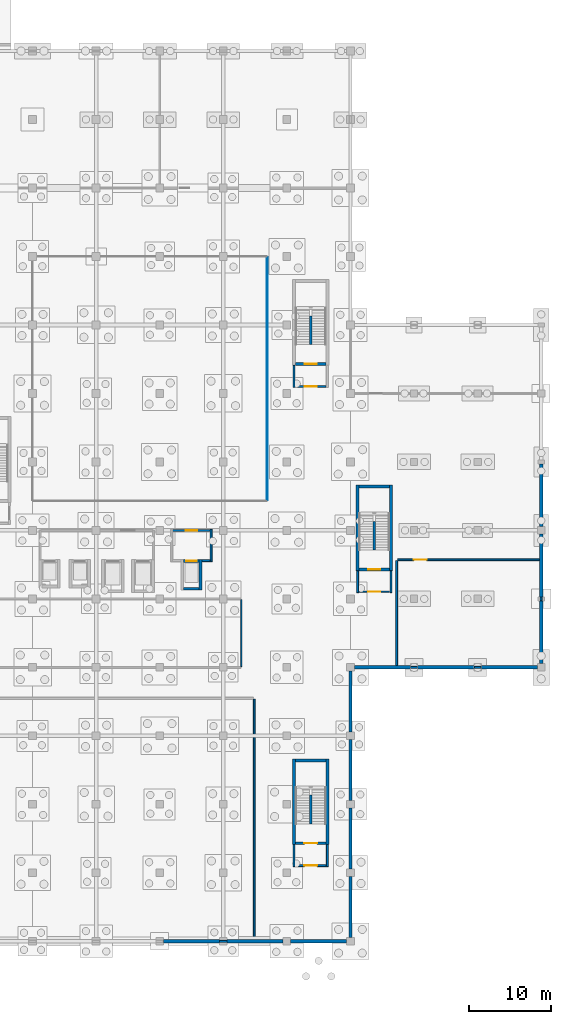
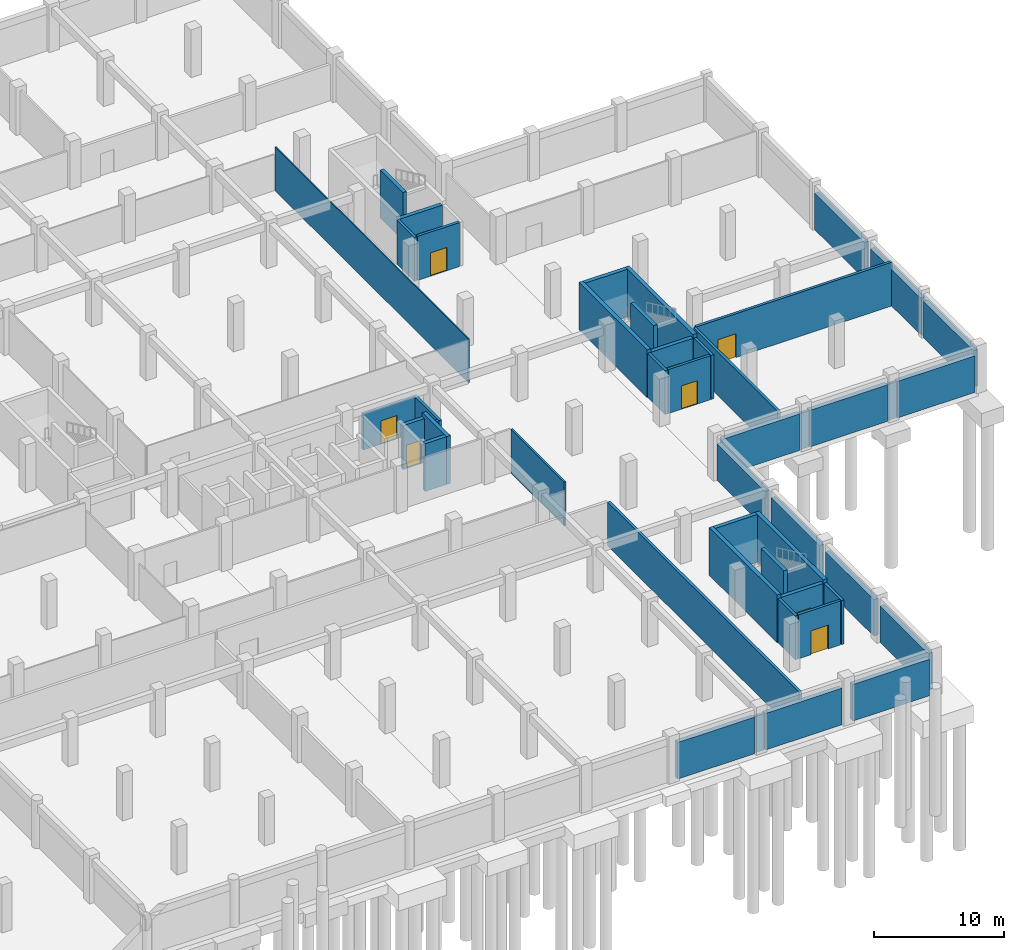
# One storey, part 21 of 30: 48 walls, 9 doors, 9 openings.
"""IFC4 building model written with IfcOpenShell, lengths in metres."""

from ifc_helpers import new_model, si_unit, direction, frame, frame_2d, origin, place, context, subcontext, project, spatial, rectangle, extrude, material, layer, layer_set, type_object, element, fill, save


model = new_model("IFC4")

# Units and contexts
model_context = context("Model", 3, precision=1e-05, world=origin(), true_north=direction((0.0, 1.0)))
body_context = subcontext(model_context, "Body", "Model", "MODEL_VIEW")
ifc_project = project(units=[si_unit("LENGTHUNIT", "METRE"), si_unit("AREAUNIT", "SQUARE_METRE"), si_unit("VOLUMEUNIT", "CUBIC_METRE"), si_unit("PLANEANGLEUNIT", "RADIAN"), si_unit("MASSUNIT", "GRAM", prefix="KILO"), si_unit("THERMODYNAMICTEMPERATUREUNIT", "KELVIN"), si_unit("POWERUNIT", "WATT")], contexts=[model_context])

# Site, building, storey
site_placement = place(None, origin())
site = spatial("IfcSite", under=ifc_project, at=site_placement, CompositionType="ELEMENT")
building_placement = place(site_placement, origin())
building = spatial("IfcBuilding", under=site, at=building_placement, Name="Srebrne Nadtorze General Hospital", CompositionType="ELEMENT")
storey_placement = place(building_placement, frame((0.0, 0.0, -4.5)))
storey = spatial("IfcBuildingStorey", under=building, at=storey_placement, Name="B1", CompositionType="ELEMENT", Elevation=-4.5)

# Walls
ifc_material_1 = material(Name="Concrete C35/45", Category="concrete")
ifc_layer_1 = layer(ifc_material_1, 0.39990234375)
ifc_layer_set_1 = layer_set([ifc_layer_1], Name="Concrete C35/45")
wall_type_1 = type_object("IfcWallType", Name="Basement retaining wall 400", PredefinedType="SOLIDWALL", material=ifc_layer_set_1)
for number, where, z_axis, x_axis, name in (
    (1, (125.27490234375, 0.0, 0.0), (0.0, 0.0, 1.0), (1.0, 0.0, 0.0), "Exterior wall WL-ENV-B1-0014"),
    (2, (133.074951171875, 0.0, 0.0), (0.0, 0.0, 1.0), (1.0, 0.0, 0.0), "Exterior wall WL-ENV-B1-0015"),
    (3, (140.875, 0.0, 0.0), (0.0, 0.0, 1.0), (1.0, 0.0, 0.0), "Exterior wall WL-ENV-B1-0016"),
):
    element("IfcWall", number, at=place(storey_placement, frame(where, z_axis=z_axis, x_axis=x_axis)), inside=storey, type_object=wall_type_1, Name=name, PredefinedType="SOLIDWALL", context=body_context, shape_type="SweptSolid", body=[
        extrude(rectangle(XDim=6.85009765625, YDim=0.39990234375, at=frame_2d((3.425048828125, 0.0))), origin(), (0.0, 0.0, 1.0), 3.449951171875),
    ])
wall_1_placement = place(storey_placement, frame((148.675048828125, 33.60009765625, 0.0), z_axis=(0.0, 0.0, 1.0), x_axis=(1.0, 0.0, 0.0)))
element("IfcWall", 4, at=wall_1_placement, inside=storey, type_object=wall_type_1, Name="Exterior wall WL-ENV-B1-0020", PredefinedType="SOLIDWALL", context=body_context, shape_type="SweptSolid", body=[
    extrude(rectangle(XDim=6.875, YDim=0.39990234375, at=frame_2d((3.4375, 0.0))), origin(), (0.0, 0.0, 1.0), 3.449951171875),
])
wall_2_placement = place(storey_placement, frame((156.449951171875, 33.60009765625, 0.0), z_axis=(0.0, 0.0, 1.0), x_axis=(1.0, 0.0, 0.0)))
element("IfcWall", 5, at=wall_2_placement, inside=storey, type_object=wall_type_1, Name="Exterior wall WL-ENV-B1-0021", PredefinedType="SOLIDWALL", context=body_context, shape_type="SweptSolid", body=[
    extrude(rectangle(XDim=6.900146484375, YDim=0.39990234375, at=frame_2d((3.4501953125, 0.0))), origin(), (0.0, 0.0, 1.0), 3.449951171875),
])
wall_3_placement = place(storey_placement, frame((164.25, 33.60009765625, 0.0), z_axis=(0.0, 0.0, 1.0), x_axis=(1.0, 0.0, 0.0)))
element("IfcWall", 6, at=wall_3_placement, inside=storey, type_object=wall_type_1, Name="Exterior wall WL-ENV-B1-0022", PredefinedType="SOLIDWALL", context=body_context, shape_type="SweptSolid", body=[
    extrude(rectangle(XDim=6.89990234375, YDim=0.39990234375, at=frame_2d((3.449951171875, 0.0))), origin(), (0.0, 0.0, 1.0), 3.449951171875),
])
for number, where, z_axis, x_axis, name in (
    (7, (148.199951171875, 0.47509765625, 0.0), (0.0, 0.0, 1.0), (0.0, 1.0, 0.0), "Exterior wall WL-ENV-B1-0064"),
    (8, (148.199951171875, 8.875, 0.0), (0.0, 0.0, 1.0), (0.0, 1.0, 0.0), "Exterior wall WL-ENV-B1-0065"),
):
    element("IfcWall", number, at=place(storey_placement, frame(where, z_axis=z_axis, x_axis=x_axis)), inside=storey, type_object=wall_type_1, Name=name, PredefinedType="SOLIDWALL", context=body_context, shape_type="SweptSolid", body=[
        extrude(rectangle(XDim=7.449951171875, YDim=0.39990234375, at=frame_2d((3.72509765625, 0.0))), origin(), (0.0, 0.0, 1.0), 3.449951171875),
    ])
wall_4_placement = place(storey_placement, frame((148.199951171875, 17.27490234375, 0.0), z_axis=(0.0, 0.0, 1.0), x_axis=(0.0, 1.0, 0.0)))
element("IfcWall", 9, at=wall_4_placement, inside=storey, type_object=wall_type_1, Name="Exterior wall WL-ENV-B1-0066", PredefinedType="SOLIDWALL", context=body_context, shape_type="SweptSolid", body=[
    extrude(rectangle(XDim=7.4501953125, YDim=0.39990234375, at=frame_2d((3.72509765625, 0.0))), origin(), (0.0, 0.0, 1.0), 3.449951171875),
])
wall_5_placement = place(storey_placement, frame((148.199951171875, 25.675048828125, 0.0), z_axis=(0.0, 0.0, 1.0), x_axis=(0.0, 1.0, 0.0)))
element("IfcWall", 10, at=wall_5_placement, inside=storey, type_object=wall_type_1, Name="Exterior wall WL-ENV-B1-0067", PredefinedType="SOLIDWALL", context=body_context, shape_type="SweptSolid", body=[
    extrude(rectangle(XDim=7.449951171875, YDim=0.39990234375, at=frame_2d((3.72509765625, 0.0))), origin(), (0.0, 0.0, 1.0), 3.449951171875),
])
for number, where, z_axis, x_axis, name in (
    (11, (171.60009765625, 34.050048828125, 0.0), (0.0, 0.0, 1.0), (0.0, 1.0, 0.0), "Exterior wall WL-ENV-B1-0072"),
    (12, (171.60009765625, 42.25, 0.0), (0.0, 0.0, 1.0), (0.0, 1.0, 0.0), "Exterior wall WL-ENV-B1-0073"),
    (13, (171.60009765625, 50.85009765625, 0.0), (0.0, 0.0, 1.0), (0.0, 1.0, 0.0), "Exterior wall WL-ENV-B1-0074"),
):
    element("IfcWall", number, at=place(storey_placement, frame(where, z_axis=z_axis, x_axis=x_axis)), inside=storey, type_object=wall_type_1, Name=name, PredefinedType="SOLIDWALL", context=body_context, shape_type="SweptSolid", body=[
        extrude(rectangle(XDim=7.699951171875, YDim=0.39990234375, at=frame_2d((3.85009765625, 0.0))), origin(), (0.0, 0.0, 1.0), 3.449951171875),
    ])
ifc_material_2 = material(Name="Gypsum Healthcare Partition")
ifc_layer_2 = layer(ifc_material_2, 0.159912109375)
ifc_layer_set_2 = layer_set([ifc_layer_2], Name="Gypsum Healthcare Partition")
wall_type_2 = type_object("IfcWallType", Name="Clinical partition 160", PredefinedType="PARTITIONING", material=ifc_layer_set_2)
wall_6_placement = place(storey_placement, frame((134.800048828125, 33.68505859375, 0.0), z_axis=(0.0, 0.0, 1.0), x_axis=(0.0, 1.0, 0.0)))
element("IfcWall", 14, at=wall_6_placement, inside=storey, type_object=wall_type_2, Name="Cryogenic Tissue and Specimen Bank wall WL-INT-B1-1278", PredefinedType="PARTITIONING", context=body_context, shape_type="SweptSolid", body=[
    extrude(rectangle(XDim=8.22998046875, YDim=0.159912109375, at=frame_2d((4.114990234375, 0.0))), origin(), (0.0, 0.0, 1.0), 4.1298828125),
])
ifc_material_3 = material(Name="Gypsum Healthcare Partition")
ifc_layer_3 = layer(ifc_material_3, 0.239990234375)
ifc_layer_set_3 = layer_set([ifc_layer_3], Name="Gypsum Healthcare Partition")
wall_type_3 = type_object("IfcWallType", Name="Corridor fire wall 240", PredefinedType="STANDARD", material=ifc_layer_set_3)
wall_7_placement = place(storey_placement, frame((141.27490234375, 67.955078125, 0.0), z_axis=(0.0, 0.0, 1.0), x_axis=(0.0, 1.0, 0.0)))
element("IfcWall", 15, at=wall_7_placement, inside=storey, type_object=wall_type_3, Name="Fire lobby wall ST-04 WL-INT-B1-0029", PredefinedType="STANDARD", context=body_context, shape_type="SweptSolid", body=[
    extrude(rectangle(XDim=2.69482421875, YDim=0.239990234375, at=frame_2d((1.347412109375, 0.0))), origin(), (0.0, 0.0, 1.0), 4.14990234375),
])

# Wall, opening, door
wall_8_placement = place(storey_placement, frame((141.449951171875, 68.074951171875, 0.0), z_axis=(0.0, 0.0, 1.0), x_axis=(1.0, 0.0, 0.0)))
wall_8 = element("IfcWall", 16, at=wall_8_placement, inside=storey, type_object=wall_type_3, Name="Fire lobby entry wall ST-04 WL-INT-B1-0031", PredefinedType="STANDARD", context=body_context, shape_type="SweptSolid", body=[
    extrude(rectangle(XDim=3.75, YDim=0.239990234375, at=frame_2d((1.875, 0.0))), origin(), (0.0, 0.0, 1.0), 4.14990234375),
])
opening_1_placement = place(wall_8_placement, frame((1.125, 0.0, 0.0)))
opening_1 = element("IfcOpeningElement", 17, at=opening_1_placement, cuts=wall_8, Name="Opening D-B1-0008", PredefinedType="OPENING", context=body_context, shape_type="SweptSolid", body=[
    extrude(rectangle(XDim=1.5, YDim=2.199951171875, at=frame_2d((0.75, 1.10009765625))), frame((0.0, 0.1318359375, 0.0), z_axis=(0.0, -1.0, 0.0), x_axis=(1.0, 0.0, 0.0)), (0.0, 0.0, 1.0), 0.263916015625),
])
ifc_material_4 = material(Name="Anodised Aluminium", Category="aluminium")
door_type_1 = type_object("IfcDoorType", Name="Double leaf door 1500x2200", OperationType="DOUBLE_DOOR_SINGLE_SWING", PredefinedType="DOOR", material=ifc_material_4)
door_1_placement = place(opening_1_placement, origin())
door_1 = element("IfcDoor", 18, at=door_1_placement, inside=storey, type_object=door_type_1, Name="Fire lobby door ST-04 D-B1-0008", OperationType="DOUBLE_DOOR_SINGLE_SWING", OverallHeight=2.199951171875, OverallWidth=1.5, PredefinedType="DOOR", context=body_context, shape_type="SweptSolid", body=[
    extrude(rectangle(XDim=1.5, YDim=2.199951171875, at=frame_2d((0.75, 1.10009765625))), frame((0.0, 0.02490234375, 0.0), z_axis=(0.0, -1.0, 0.0), x_axis=(1.0, 0.0, 0.0)), (0.0, 0.0, 1.0), 0.050048828125),
])
fill(opening_1, door_1)

# Walls
for number, where, z_axis, x_axis, name in (
    (19, (149.074951171875, 42.7548828125, 0.0), (0.0, 0.0, 1.0), (0.0, 1.0, 0.0), "Fire lobby wall ST-06 WL-INT-B1-0045"),
    (20, (153.175048828125, 42.7548828125, 0.0), (0.0, 0.0, 1.0), (0.0, 1.0, 0.0), "Fire lobby wall ST-06 WL-INT-B1-0046"),
):
    element("IfcWall", number, at=place(storey_placement, frame(where, z_axis=z_axis, x_axis=x_axis)), inside=storey, type_object=wall_type_3, Name=name, PredefinedType="STANDARD", context=body_context, shape_type="SweptSolid", body=[
        extrude(rectangle(XDim=2.695068359375, YDim=0.239990234375, at=frame_2d((1.34765625, 0.0))), origin(), (0.0, 0.0, 1.0), 4.14990234375),
    ])

# Wall, opening, door
wall_9_placement = place(storey_placement, frame((149.25, 42.875, 0.0), z_axis=(0.0, 0.0, 1.0), x_axis=(1.0, 0.0, 0.0)))
wall_9 = element("IfcWall", 21, at=wall_9_placement, inside=storey, type_object=wall_type_3, Name="Fire lobby entry wall ST-06 WL-INT-B1-0047", PredefinedType="STANDARD", context=body_context, shape_type="SweptSolid", body=[
    extrude(rectangle(XDim=3.75, YDim=0.239990234375, at=frame_2d((1.875, 0.0))), origin(), (0.0, 0.0, 1.0), 4.14990234375),
])
opening_2_placement = place(wall_9_placement, frame((1.14990234375, 0.0, 0.0)))
opening_2 = element("IfcOpeningElement", 22, at=opening_2_placement, cuts=wall_9, Name="Opening D-B1-0012", PredefinedType="OPENING", context=body_context, shape_type="SweptSolid", body=[
    extrude(rectangle(XDim=1.449951171875, YDim=2.199951171875, at=frame_2d((0.72509765625, 1.10009765625))), frame((0.0, 0.1318359375, 0.0), z_axis=(0.0, -1.0, 0.0), x_axis=(1.0, 0.0, 0.0)), (0.0, 0.0, 1.0), 0.263916015625),
])
ifc_material_5 = material(Name="Anodised Aluminium", Category="aluminium")
door_type_2 = type_object("IfcDoorType", Name="Double leaf door 1450x2200", OperationType="DOUBLE_DOOR_SINGLE_SWING", PredefinedType="DOOR", material=ifc_material_5)
door_2_placement = place(opening_2_placement, origin())
door_2 = element("IfcDoor", 23, at=door_2_placement, inside=storey, type_object=door_type_2, Name="Fire lobby door ST-06 D-B1-0012", OperationType="DOUBLE_DOOR_SINGLE_SWING", OverallHeight=2.199951171875, OverallWidth=1.449951171875, PredefinedType="DOOR", context=body_context, shape_type="SweptSolid", body=[
    extrude(rectangle(XDim=1.449951171875, YDim=2.199951171875, at=frame_2d((0.72509765625, 1.10009765625))), frame((0.0, 0.02490234375, 0.0), z_axis=(0.0, -1.0, 0.0), x_axis=(1.0, 0.0, 0.0)), (0.0, 0.0, 1.0), 0.050048828125),
])
fill(opening_2, door_2)

# Walls
for number, where, z_axis, x_axis, name in (
    (24, (141.27490234375, 9.155029296875, 0.0), (0.0, 0.0, 1.0), (0.0, 1.0, 0.0), "Fire lobby wall ST-08 WL-INT-B1-0061"),
    (25, (145.375, 9.155029296875, 0.0), (0.0, 0.0, 1.0), (0.0, 1.0, 0.0), "Fire lobby wall ST-08 WL-INT-B1-0062"),
):
    element("IfcWall", number, at=place(storey_placement, frame(where, z_axis=z_axis, x_axis=x_axis)), inside=storey, type_object=wall_type_3, Name=name, PredefinedType="STANDARD", context=body_context, shape_type="SweptSolid", body=[
        extrude(rectangle(XDim=2.695068359375, YDim=0.239990234375, at=frame_2d((1.34765625, 0.0))), origin(), (0.0, 0.0, 1.0), 4.14990234375),
    ])

# Wall, opening, door
wall_10_placement = place(storey_placement, frame((141.449951171875, 9.27490234375, 0.0), z_axis=(0.0, 0.0, 1.0), x_axis=(1.0, 0.0, 0.0)))
wall_10 = element("IfcWall", 26, at=wall_10_placement, inside=storey, type_object=wall_type_3, Name="Fire lobby entry wall ST-08 WL-INT-B1-0063", PredefinedType="STANDARD", context=body_context, shape_type="SweptSolid", body=[
    extrude(rectangle(XDim=3.75, YDim=0.239990234375, at=frame_2d((1.875, 0.0))), origin(), (0.0, 0.0, 1.0), 4.14990234375),
])
opening_3_placement = place(wall_10_placement, frame((1.10009765625, 0.0, 0.0)))
opening_3 = element("IfcOpeningElement", 27, at=opening_3_placement, cuts=wall_10, Name="Opening D-B1-0016", PredefinedType="OPENING", context=body_context, shape_type="SweptSolid", body=[
    extrude(rectangle(XDim=1.550048828125, YDim=2.25, at=frame_2d((0.77490234375, 1.125))), frame((0.0, 0.1318359375, 0.0), z_axis=(0.0, -1.0, 0.0), x_axis=(1.0, 0.0, 0.0)), (0.0, 0.0, 1.0), 0.263916015625),
])
ifc_material_6 = material(Name="Anodised Aluminium", Category="aluminium")
door_type_3 = type_object("IfcDoorType", Name="Double leaf door 1550x2250", OperationType="DOUBLE_DOOR_SINGLE_SWING", PredefinedType="DOOR", material=ifc_material_6)
door_3_placement = place(opening_3_placement, origin())
door_3 = element("IfcDoor", 28, at=door_3_placement, inside=storey, type_object=door_type_3, Name="Fire lobby door ST-08 D-B1-0016", OperationType="DOUBLE_DOOR_SINGLE_SWING", OverallHeight=2.25, OverallWidth=1.550048828125, PredefinedType="DOOR", context=body_context, shape_type="SweptSolid", body=[
    extrude(rectangle(XDim=1.550048828125, YDim=2.25, at=frame_2d((0.77490234375, 1.125))), frame((0.0, 0.02490234375, 0.0), z_axis=(0.0, -1.0, 0.0), x_axis=(1.0, 0.0, 0.0)), (0.0, 0.0, 1.0), 0.050048828125),
])
fill(opening_3, door_3)

# Walls
wall_11_placement = place(storey_placement, frame((131.1201171875, 46.570068359375, 0.0), z_axis=(0.0, 0.0, 1.0), x_axis=(0.0, 1.0, 0.0)))
element("IfcWall", 29, at=wall_11_placement, inside=storey, type_object=wall_type_3, Name="FF lift lobby wall WL-INT-B1-0884", PredefinedType="STANDARD", context=body_context, shape_type="SweptSolid", body=[
    extrude(rectangle(XDim=3.949951171875, YDim=0.239990234375, at=frame_2d((1.97509765625, 0.0))), origin(), (0.0, 0.0, 1.0), 3.39990234375),
])
wall_12_placement = place(storey_placement, frame((130.0, 46.68994140625, 0.0), z_axis=(0.0, 0.0, 1.0), x_axis=(1.0, 0.0, 0.0)))
element("IfcWall", 30, at=wall_12_placement, inside=storey, type_object=wall_type_3, Name="FF lift lobby return wall WL-INT-B1-0886", PredefinedType="STANDARD", context=body_context, shape_type="SweptSolid", body=[
    extrude(rectangle(XDim=1.0, YDim=0.239990234375, at=frame_2d((0.5, 0.0))), origin(), (0.0, 0.0, 1.0), 3.39990234375),
])

# Wall, opening, door
wall_13_placement = place(storey_placement, frame((126.39990234375, 50.39990234375, 0.0), z_axis=(0.0, 0.0, 1.0), x_axis=(1.0, 0.0, 0.0)))
wall_13 = element("IfcWall", 31, at=wall_13_placement, inside=storey, type_object=wall_type_3, Name="FF lift lobby front wall WL-INT-B1-0887", PredefinedType="STANDARD", context=body_context, shape_type="SweptSolid", body=[
    extrude(rectangle(XDim=4.60009765625, YDim=0.239990234375, at=frame_2d((2.300048828125, 0.0))), origin(), (0.0, 0.0, 1.0), 3.39990234375),
])
opening_4_placement = place(wall_13_placement, frame((1.574951171875, 0.0, 0.0)))
opening_4 = element("IfcOpeningElement", 32, at=opening_4_placement, cuts=wall_13, Name="Opening D-B1-0120", PredefinedType="OPENING", context=body_context, shape_type="SweptSolid", body=[
    extrude(rectangle(XDim=1.449951171875, YDim=2.199951171875, at=frame_2d((0.72509765625, 1.10009765625))), frame((0.0, 0.1318359375, 0.0), z_axis=(0.0, -1.0, 0.0), x_axis=(1.0, 0.0, 0.0)), (0.0, 0.0, 1.0), 0.263916015625),
])
door_4_placement = place(opening_4_placement, origin())
door_4 = element("IfcDoor", 33, at=door_4_placement, inside=storey, type_object=door_type_2, Name="Firefighting lift lobby door D-B1-0120", OperationType="DOUBLE_DOOR_SINGLE_SWING", OverallHeight=2.199951171875, OverallWidth=1.449951171875, PredefinedType="DOOR", context=body_context, shape_type="SweptSolid", body=[
    extrude(rectangle(XDim=1.449951171875, YDim=2.199951171875, at=frame_2d((0.72509765625, 1.10009765625))), frame((0.0, 0.02490234375, 0.0), z_axis=(0.0, -1.0, 0.0), x_axis=(1.0, 0.0, 0.0)), (0.0, 0.0, 1.0), 0.050048828125),
])
fill(opening_4, door_4)

# Walls
wall_14_placement = place(storey_placement, frame((132.1650390625, 0.0, 0.0), z_axis=(0.0, 0.0, 1.0), x_axis=(1.0, 0.0, 0.0)))
element("IfcWall", 34, at=wall_14_placement, inside=storey, type_object=wall_type_3, Name="Primary Chiller and District Heat Plant wall WL-INT-B1-1246", PredefinedType="STANDARD", context=body_context, shape_type="SweptSolid", body=[
    extrude(rectangle(XDim=0.869873046875, YDim=0.239990234375, at=frame_2d((0.43505859375, 0.0))), origin(), (0.0, 0.0, 1.0), 3.39990234375),
])
wall_15_placement = place(storey_placement, frame((136.39990234375, 0.110107421875, 0.0), z_axis=(0.0, 0.0, 1.0), x_axis=(0.0, 1.0, 0.0)))
element("IfcWall", 35, at=wall_15_placement, inside=storey, type_object=wall_type_3, Name="Primary Chiller and District Heat Plant wall WL-INT-B1-1247", PredefinedType="STANDARD", context=body_context, shape_type="SweptSolid", body=[
    extrude(rectangle(XDim=29.579833984375, YDim=0.239990234375, at=frame_2d((14.7900390625, 0.0))), origin(), (0.0, 0.0, 1.0), 4.1298828125),
])

# Wall, opening, door
wall_16_placement = place(storey_placement, frame((153.985107421875, 46.800048828125, 0.0), z_axis=(0.0, 0.0, 1.0), x_axis=(1.0, 0.0, 0.0)))
wall_16 = element("IfcWall", 36, at=wall_16_placement, inside=storey, type_object=wall_type_3, Name="Standby Diesel Generator Plant wall WL-INT-B1-1252", PredefinedType="STANDARD", context=body_context, shape_type="SweptSolid", body=[
    extrude(rectangle(XDim=17.5048828125, YDim=0.239990234375, at=frame_2d((8.75244140625, 0.0))), origin(), (0.0, 0.0, 1.0), 4.1298828125),
])
opening_5_placement = place(wall_16_placement, frame((1.961669921875, 0.0, 0.0)))
opening_5 = element("IfcOpeningElement", 37, at=opening_5_placement, cuts=wall_16, Name="Opening D-B1-0177", PredefinedType="OPENING", context=body_context, shape_type="SweptSolid", body=[
    extrude(rectangle(XDim=1.60009765625, YDim=2.25, at=frame_2d((0.800048828125, 1.125))), frame((0.0, 0.1318359375, 0.0), z_axis=(0.0, -1.0, 0.0), x_axis=(1.0, 0.0, 0.0)), (0.0, 0.0, 1.0), 0.263916015625),
])
ifc_material_7 = material(Name="Anodised Aluminium", Category="aluminium")
door_type_4 = type_object("IfcDoorType", Name="Double leaf door 1600x2250", OperationType="DOUBLE_DOOR_SINGLE_SWING", PredefinedType="DOOR", material=ifc_material_7)
door_5_placement = place(opening_5_placement, frame((1.60009765625, 0.0, 0.0), z_axis=(0.0, 0.0, 1.0), x_axis=(-1.0, 0.0, 0.0)))
door_5 = element("IfcDoor", 38, at=door_5_placement, inside=storey, type_object=door_type_4, Name="Standby Diesel Generator Plant door D-B1-0177", OperationType="DOUBLE_DOOR_SINGLE_SWING", OverallHeight=2.25, OverallWidth=1.60009765625, PredefinedType="DOOR", context=body_context, shape_type="SweptSolid", body=[
    extrude(rectangle(XDim=1.60009765625, YDim=2.25, at=frame_2d((0.800048828125, 1.125))), frame((0.0, 0.02490234375, 0.0), z_axis=(0.0, -1.0, 0.0), x_axis=(1.0, 0.0, 0.0)), (0.0, 0.0, 1.0), 0.050048828125),
])
fill(opening_5, door_5)

# Walls
wall_17_placement = place(storey_placement, frame((155.590087890625, 33.60009765625, 0.0), z_axis=(0.0, 0.0, 1.0), x_axis=(1.0, 0.0, 0.0)))
element("IfcWall", 39, at=wall_17_placement, inside=storey, type_object=wall_type_3, Name="Standby Diesel Generator Plant wall WL-INT-B1-1253", PredefinedType="STANDARD", context=body_context, shape_type="SweptSolid", body=[
    extrude(rectangle(XDim=0.81982421875, YDim=0.239990234375, at=frame_2d((0.409912109375, 0.0))), origin(), (0.0, 0.0, 1.0), 3.39990234375),
])
wall_18_placement = place(storey_placement, frame((163.389892578125, 33.60009765625, 0.0), z_axis=(0.0, 0.0, 1.0), x_axis=(1.0, 0.0, 0.0)))
element("IfcWall", 40, at=wall_18_placement, inside=storey, type_object=wall_type_3, Name="Standby Diesel Generator Plant wall WL-INT-B1-1254", PredefinedType="STANDARD", context=body_context, shape_type="SweptSolid", body=[
    extrude(rectangle(XDim=0.820068359375, YDim=0.239990234375, at=frame_2d((0.41015625, 0.0))), origin(), (0.0, 0.0, 1.0), 3.39990234375),
])
wall_19_placement = place(storey_placement, frame((153.875, 33.7099609375, 0.0), z_axis=(0.0, 0.0, 1.0), x_axis=(0.0, 1.0, 0.0)))
element("IfcWall", 41, at=wall_19_placement, inside=storey, type_object=wall_type_3, Name="Standby Diesel Generator Plant wall WL-INT-B1-1255", PredefinedType="STANDARD", context=body_context, shape_type="SweptSolid", body=[
    extrude(rectangle(XDim=12.97998046875, YDim=0.239990234375, at=frame_2d((6.489990234375, 0.0))), origin(), (0.0, 0.0, 1.0), 4.1298828125),
])
wall_20_placement = place(storey_placement, frame((171.60009765625, 41.7900390625, 0.0), z_axis=(0.0, 0.0, 1.0), x_axis=(0.0, 1.0, 0.0)))
element("IfcWall", 42, at=wall_20_placement, inside=storey, type_object=wall_type_3, Name="Standby Diesel Generator Plant wall WL-INT-B1-1256", PredefinedType="STANDARD", context=body_context, shape_type="SweptSolid", body=[
    extrude(rectangle(XDim=0.419921875, YDim=0.239990234375, at=frame_2d((0.2099609375, 0.0))), origin(), (0.0, 0.0, 1.0), 3.39990234375),
])
ifc_material_8 = material(Name="Gypsum Healthcare Partition")
ifc_layer_4 = layer(ifc_material_8, 0.10009765625)
ifc_layer_set_4 = layer_set([ifc_layer_4], Name="Gypsum Healthcare Partition")
wall_type_4 = type_object("IfcWallType", Name="Shaft lining wall 100", PredefinedType="PARTITIONING", material=ifc_layer_set_4)
wall_21_placement = place(storey_placement, frame((138.0, 54.0849609375, 0.0), z_axis=(0.0, 0.0, 1.0), x_axis=(0.0, 1.0, 0.0)))
element("IfcWall", 43, at=wall_21_placement, inside=storey, type_object=wall_type_4, Name="Main Medium-Voltage Switchroom wall WL-INT-B1-1251", PredefinedType="PARTITIONING", context=body_context, shape_type="SweptSolid", body=[
    extrude(rectangle(XDim=29.830078125, YDim=0.10009765625, at=frame_2d((14.9150390625, 0.0))), origin(), (0.0, 0.0, 1.0), 4.1298828125),
])

# Wall, opening, door
ifc_material_9 = material(Name="Concrete C40/50", Category="concrete")
ifc_layer_5 = layer(ifc_material_9, 0.35009765625)
ifc_layer_set_5 = layer_set([ifc_layer_5], Name="Concrete C40/50")
wall_type_5 = type_object("IfcWallType", Name="Shear core wall 350", PredefinedType="SHEAR", material=ifc_layer_set_5)
wall_22_placement = place(storey_placement, frame((141.449951171875, 70.824951171875, 0.0), z_axis=(0.0, 0.0, 1.0), x_axis=(1.0, 0.0, 0.0)))
wall_22 = element("IfcWall", 44, at=wall_22_placement, inside=storey, type_object=wall_type_5, Name="Stairwell fire wall ST-04 WL-INT-B1-0028", PredefinedType="SHEAR", context=body_context, shape_type="SweptSolid", body=[
    extrude(rectangle(XDim=3.75, YDim=0.35009765625, at=frame_2d((1.875, 0.0))), origin(), (0.0, 0.0, 1.0), 4.14990234375),
])
opening_6_placement = place(wall_22_placement, frame((1.125, 0.0, 0.0)))
opening_6 = element("IfcOpeningElement", 45, at=opening_6_placement, cuts=wall_22, Name="Opening D-B1-0007", PredefinedType="OPENING", context=body_context, shape_type="SweptSolid", body=[
    extrude(rectangle(XDim=1.5, YDim=2.199951171875, at=frame_2d((0.75, 1.10009765625))), frame((0.0, 0.18701171875, 0.0), z_axis=(0.0, -1.0, 0.0), x_axis=(1.0, 0.0, 0.0)), (0.0, 0.0, 1.0), 0.3740234375),
])
door_6_placement = place(opening_6_placement, origin())
door_6 = element("IfcDoor", 46, at=door_6_placement, inside=storey, type_object=door_type_1, Name="Protected stair door ST-04 D-B1-0007", OperationType="DOUBLE_DOOR_SINGLE_SWING", OverallHeight=2.199951171875, OverallWidth=1.5, PredefinedType="DOOR", context=body_context, shape_type="SweptSolid", body=[
    extrude(rectangle(XDim=1.5, YDim=2.199951171875, at=frame_2d((0.75, 1.10009765625))), frame((0.0, 0.02490234375, 0.0), z_axis=(0.0, -1.0, 0.0), x_axis=(1.0, 0.0, 0.0)), (0.0, 0.0, 1.0), 0.050048828125),
])
fill(opening_6, door_6)

# Walls
wall_23_placement = place(storey_placement, frame((143.324951171875, 73.199951171875, 0.0), z_axis=(0.0, 0.0, 1.0), x_axis=(0.0, 1.0, 0.0)))
element("IfcWall", 47, at=wall_23_placement, inside=storey, type_object=wall_type_5, Name="Stair spine wall ST-04 WL-INT-B1-0032", PredefinedType="SHEAR", context=body_context, shape_type="SweptSolid", body=[
    extrude(rectangle(XDim=3.52001953125, YDim=0.35009765625, at=frame_2d((1.760009765625, 0.0))), origin(), (0.0, 0.0, 1.0), 4.5),
])
for number, where, z_axis, x_axis, name in (
    (48, (149.074951171875, 45.449951171875, 0.0), (0.0, 0.0, 1.0), (0.0, 1.0, 0.0), "Stair core wall ST-06 WL-INT-B1-0041"),
    (49, (153.175048828125, 45.449951171875, 0.0), (0.0, 0.0, 1.0), (0.0, 1.0, 0.0), "Stair core wall ST-06 WL-INT-B1-0042"),
):
    element("IfcWall", number, at=place(storey_placement, frame(where, z_axis=z_axis, x_axis=x_axis)), inside=storey, type_object=wall_type_5, Name=name, PredefinedType="SHEAR", context=body_context, shape_type="SweptSolid", body=[
        extrude(rectangle(XDim=10.5, YDim=0.35009765625, at=frame_2d((5.25, 0.0))), origin(), (0.0, 0.0, 1.0), 4.5),
    ])
wall_24_placement = place(storey_placement, frame((149.25, 55.77490234375, 0.0), z_axis=(0.0, 0.0, 1.0), x_axis=(1.0, 0.0, 0.0)))
element("IfcWall", 50, at=wall_24_placement, inside=storey, type_object=wall_type_5, Name="Stair core wall ST-06 WL-INT-B1-0043", PredefinedType="SHEAR", context=body_context, shape_type="SweptSolid", body=[
    extrude(rectangle(XDim=3.75, YDim=0.35009765625, at=frame_2d((1.875, 0.0))), origin(), (0.0, 0.0, 1.0), 4.5),
])

# Wall, opening, door
wall_25_placement = place(storey_placement, frame((149.25, 45.625, 0.0), z_axis=(0.0, 0.0, 1.0), x_axis=(1.0, 0.0, 0.0)))
wall_25 = element("IfcWall", 51, at=wall_25_placement, inside=storey, type_object=wall_type_5, Name="Stairwell fire wall ST-06 WL-INT-B1-0044", PredefinedType="SHEAR", context=body_context, shape_type="SweptSolid", body=[
    extrude(rectangle(XDim=3.75, YDim=0.35009765625, at=frame_2d((1.875, 0.0))), origin(), (0.0, 0.0, 1.0), 4.14990234375),
])
opening_7_placement = place(wall_25_placement, frame((1.14990234375, 0.0, 0.0)))
opening_7 = element("IfcOpeningElement", 52, at=opening_7_placement, cuts=wall_25, Name="Opening D-B1-0011", PredefinedType="OPENING", context=body_context, shape_type="SweptSolid", body=[
    extrude(rectangle(XDim=1.449951171875, YDim=2.199951171875, at=frame_2d((0.72509765625, 1.10009765625))), frame((0.0, 0.18701171875, 0.0), z_axis=(0.0, -1.0, 0.0), x_axis=(1.0, 0.0, 0.0)), (0.0, 0.0, 1.0), 0.3740234375),
])
door_7_placement = place(opening_7_placement, origin())
door_7 = element("IfcDoor", 53, at=door_7_placement, inside=storey, type_object=door_type_2, Name="Protected stair door ST-06 D-B1-0011", OperationType="DOUBLE_DOOR_SINGLE_SWING", OverallHeight=2.199951171875, OverallWidth=1.449951171875, PredefinedType="DOOR", context=body_context, shape_type="SweptSolid", body=[
    extrude(rectangle(XDim=1.449951171875, YDim=2.199951171875, at=frame_2d((0.72509765625, 1.10009765625))), frame((0.0, 0.02490234375, 0.0), z_axis=(0.0, -1.0, 0.0), x_axis=(1.0, 0.0, 0.0)), (0.0, 0.0, 1.0), 0.050048828125),
])
fill(opening_7, door_7)

# Walls
wall_26_placement = place(storey_placement, frame((151.125, 48.0, 0.0), z_axis=(0.0, 0.0, 1.0), x_axis=(0.0, 1.0, 0.0)))
element("IfcWall", 54, at=wall_26_placement, inside=storey, type_object=wall_type_5, Name="Stair spine wall ST-06 WL-INT-B1-0048", PredefinedType="SHEAR", context=body_context, shape_type="SweptSolid", body=[
    extrude(rectangle(XDim=3.52001953125, YDim=0.35009765625, at=frame_2d((1.760009765625, 0.0))), origin(), (0.0, 0.0, 1.0), 4.5),
])
for number, where, z_axis, x_axis, name in (
    (55, (141.27490234375, 11.85009765625, 0.0), (0.0, 0.0, 1.0), (0.0, 1.0, 0.0), "Stair core wall ST-08 WL-INT-B1-0057"),
    (56, (145.375, 11.85009765625, 0.0), (0.0, 0.0, 1.0), (0.0, 1.0, 0.0), "Stair core wall ST-08 WL-INT-B1-0058"),
):
    element("IfcWall", number, at=place(storey_placement, frame(where, z_axis=z_axis, x_axis=x_axis)), inside=storey, type_object=wall_type_5, Name=name, PredefinedType="SHEAR", context=body_context, shape_type="SweptSolid", body=[
        extrude(rectangle(XDim=10.5, YDim=0.35009765625, at=frame_2d((5.25, 0.0))), origin(), (0.0, 0.0, 1.0), 4.5),
    ])
wall_27_placement = place(storey_placement, frame((141.449951171875, 22.175048828125, 0.0), z_axis=(0.0, 0.0, 1.0), x_axis=(1.0, 0.0, 0.0)))
element("IfcWall", 57, at=wall_27_placement, inside=storey, type_object=wall_type_5, Name="Stair core wall ST-08 WL-INT-B1-0059", PredefinedType="SHEAR", context=body_context, shape_type="SweptSolid", body=[
    extrude(rectangle(XDim=3.75, YDim=0.35009765625, at=frame_2d((1.875, 0.0))), origin(), (0.0, 0.0, 1.0), 4.5),
])

# Wall, opening, door
wall_28_placement = place(storey_placement, frame((141.449951171875, 12.02490234375, 0.0), z_axis=(0.0, 0.0, 1.0), x_axis=(1.0, 0.0, 0.0)))
wall_28 = element("IfcWall", 58, at=wall_28_placement, inside=storey, type_object=wall_type_5, Name="Stairwell fire wall ST-08 WL-INT-B1-0060", PredefinedType="SHEAR", context=body_context, shape_type="SweptSolid", body=[
    extrude(rectangle(XDim=3.75, YDim=0.35009765625, at=frame_2d((1.875, 0.0))), origin(), (0.0, 0.0, 1.0), 4.14990234375),
])
opening_8_placement = place(wall_28_placement, frame((1.10009765625, 0.0, 0.0)))
opening_8 = element("IfcOpeningElement", 59, at=opening_8_placement, cuts=wall_28, Name="Opening D-B1-0015", PredefinedType="OPENING", context=body_context, shape_type="SweptSolid", body=[
    extrude(rectangle(XDim=1.550048828125, YDim=2.25, at=frame_2d((0.77490234375, 1.125))), frame((0.0, 0.18701171875, 0.0), z_axis=(0.0, -1.0, 0.0), x_axis=(1.0, 0.0, 0.0)), (0.0, 0.0, 1.0), 0.3740234375),
])
door_8_placement = place(opening_8_placement, origin())
door_8 = element("IfcDoor", 60, at=door_8_placement, inside=storey, type_object=door_type_3, Name="Protected stair door ST-08 D-B1-0015", OperationType="DOUBLE_DOOR_SINGLE_SWING", OverallHeight=2.25, OverallWidth=1.550048828125, PredefinedType="DOOR", context=body_context, shape_type="SweptSolid", body=[
    extrude(rectangle(XDim=1.550048828125, YDim=2.25, at=frame_2d((0.77490234375, 1.125))), frame((0.0, 0.02490234375, 0.0), z_axis=(0.0, -1.0, 0.0), x_axis=(1.0, 0.0, 0.0)), (0.0, 0.0, 1.0), 0.050048828125),
])
fill(opening_8, door_8)

# Walls
wall_29_placement = place(storey_placement, frame((143.324951171875, 14.39990234375, 0.0), z_axis=(0.0, 0.0, 1.0), x_axis=(0.0, 1.0, 0.0)))
element("IfcWall", 61, at=wall_29_placement, inside=storey, type_object=wall_type_5, Name="Stair spine wall ST-08 WL-INT-B1-0064", PredefinedType="SHEAR", context=body_context, shape_type="SweptSolid", body=[
    extrude(rectangle(XDim=3.52001953125, YDim=0.35009765625, at=frame_2d((1.760009765625, 0.0))), origin(), (0.0, 0.0, 1.0), 4.5),
])
wall_30_placement = place(storey_placement, frame((129.824951171875, 43.06005859375, 0.0), z_axis=(0.0, 0.0, 1.0), x_axis=(0.0, 1.0, 0.0)))
element("IfcWall", 62, at=wall_30_placement, inside=storey, type_object=wall_type_5, Name="Lift shaft wall FL-03 WL-INT-B1-0835", PredefinedType="SHEAR", context=body_context, shape_type="SweptSolid", body=[
    extrude(rectangle(XDim=3.75, YDim=0.35009765625, at=frame_2d((1.875, 0.0))), origin(), (0.0, 0.0, 1.0), 4.5),
])
wall_31_placement = place(storey_placement, frame((127.75, 43.235107421875, 0.0), z_axis=(0.0, 0.0, 1.0), x_axis=(1.0, 0.0, 0.0)))
element("IfcWall", 63, at=wall_31_placement, inside=storey, type_object=wall_type_5, Name="Lift shaft back wall FL-03 WL-INT-B1-0836", PredefinedType="SHEAR", context=body_context, shape_type="SweptSolid", body=[
    extrude(rectangle(XDim=1.89990234375, YDim=0.35009765625, at=frame_2d((0.949951171875, 0.0))), origin(), (0.0, 0.0, 1.0), 4.5),
])

# Wall, opening, door
wall_32_placement = place(storey_placement, frame((127.75, 46.635009765625, 0.0), z_axis=(0.0, 0.0, 1.0), x_axis=(1.0, 0.0, 0.0)))
wall_32 = element("IfcWall", 64, at=wall_32_placement, inside=storey, type_object=wall_type_5, Name="Lift shaft front wall FL-03 WL-INT-B1-0837", PredefinedType="SHEAR", context=body_context, shape_type="SweptSolid", body=[
    extrude(rectangle(XDim=1.89990234375, YDim=0.35009765625, at=frame_2d((0.949951171875, 0.0))), origin(), (0.0, 0.0, 1.0), 4.14990234375),
])
opening_9_placement = place(wall_32_placement, frame((0.300048828125, 0.0, 0.0)))
opening_9 = element("IfcOpeningElement", 65, at=opening_9_placement, cuts=wall_32, Name="Opening LD-B1-093", PredefinedType="OPENING", context=body_context, shape_type="SweptSolid", body=[
    extrude(rectangle(XDim=1.300048828125, YDim=2.199951171875, at=frame_2d((0.64990234375, 1.10009765625))), frame((0.0, 0.18701171875, 0.0), z_axis=(0.0, -1.0, 0.0), x_axis=(1.0, 0.0, 0.0)), (0.0, 0.0, 1.0), 0.3740234375),
])
ifc_material_10 = material(Name="Anodised Aluminium", Category="aluminium")
door_type_5 = type_object("IfcDoorType", Name="Sliding lift door 1300x2200", OperationType="SLIDING_TO_LEFT", PredefinedType="DOOR", material=ifc_material_10)
door_9_placement = place(opening_9_placement, origin())
door_9 = element("IfcDoor", 66, at=door_9_placement, inside=storey, type_object=door_type_5, Name="Lift Landing Door LD-B1-093", OperationType="SLIDING_TO_LEFT", OverallHeight=2.199951171875, OverallWidth=1.300048828125, PredefinedType="DOOR", context=body_context, shape_type="SweptSolid", body=[
    extrude(rectangle(XDim=1.300048828125, YDim=2.199951171875, at=frame_2d((0.64990234375, 1.10009765625))), frame((0.0, 0.02490234375, 0.0), z_axis=(0.0, -1.0, 0.0), x_axis=(1.0, 0.0, 0.0)), (0.0, 0.0, 1.0), 0.050048828125),
])
fill(opening_9, door_9)

save(model, "model.ifc")
